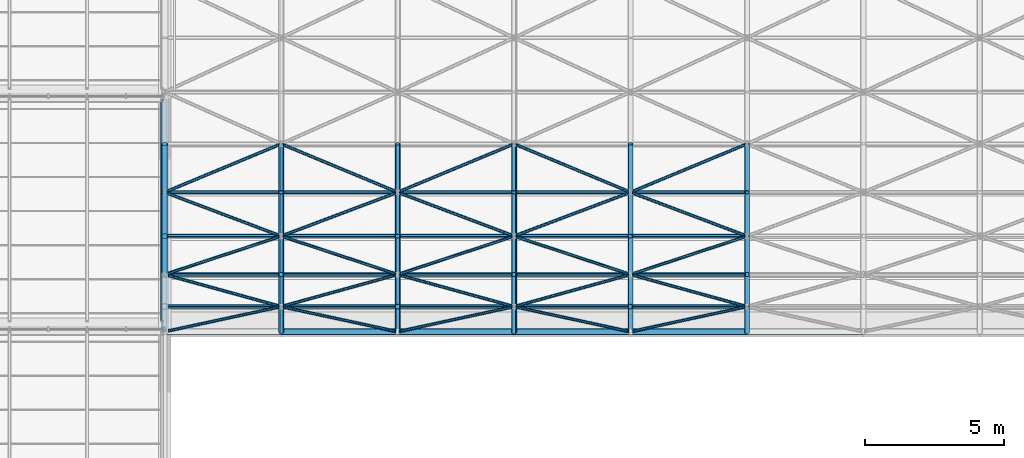
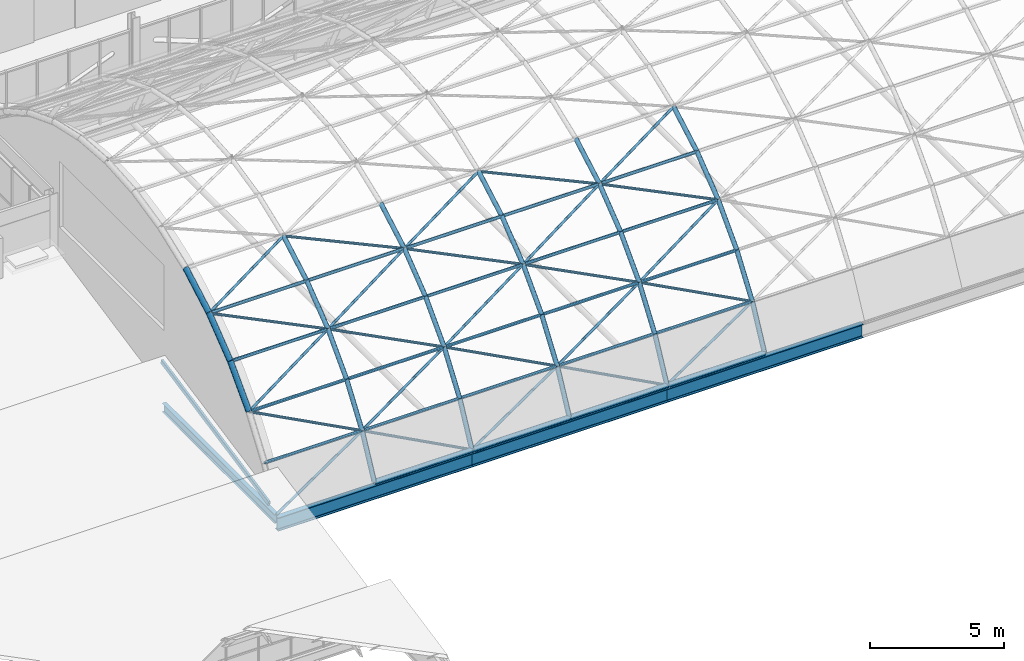
# One storey, part 27 of 121: 78 members, 4 beams.
"""IFC4 building model written with IfcOpenShell, lengths in metres."""

from ifc_helpers import new_model, si_unit, direction, frame, origin, origin_2d, place, context, subcontext, project, spatial, hollow_rectangle, hollow_circle, i_section, extrude, material, material_profile, profile_set, type_object, element, save


model = new_model("IFC4")

# Units and contexts
model_context = context("Model", 3, precision=1e-05, world=origin(), true_north=direction((0.0, 1.0)))
body_context = subcontext(model_context, "Body", "Model", "MODEL_VIEW")
ifc_project = project(units=[si_unit("LENGTHUNIT", "METRE"), si_unit("AREAUNIT", "SQUARE_METRE"), si_unit("VOLUMEUNIT", "CUBIC_METRE"), si_unit("PLANEANGLEUNIT", "RADIAN"), si_unit("MASSUNIT", "GRAM", prefix="KILO")], contexts=[model_context])

# Site, building, storey
site_placement = place(None, origin())
site = spatial("IfcSite", under=ifc_project, at=site_placement, CompositionType="ELEMENT")
building_placement = place(site_placement, origin())
building = spatial("IfcBuilding", under=site, at=building_placement, Name="Ardhachandra Cancer Care Centre", CompositionType="ELEMENT")
storey_placement = place(building_placement, frame((0.0, 0.0, 9.0)))
storey = spatial("IfcBuildingStorey", under=building, at=storey_placement, Name="L02", CompositionType="ELEMENT", Elevation=9.0)

# Beams
ifc_material_1 = material(Name="Steel E350 (IS 2062)", Category="steel")
ifc_material_profile_1 = material_profile(ifc_material_1, i_section(OverallWidth=0.179931640625, OverallDepth=0.39990234375, WebThickness=0.008544921875, FlangeThickness=0.013427734375, FilletRadius=0.02099609375, at=origin_2d()), Name="NPB 400x180x66.30")
ifc_profile_set_1 = profile_set([ifc_material_profile_1], Name="Steel E350 (IS 2062)")
beam_type_1 = type_object("IfcBeamType", Name="Beam NPB 400x180x66.30", PredefinedType="BEAM", material=ifc_profile_set_1)
beam_1_placement = place(storey_placement, frame((44.39990234375, 54.60009765625, -0.199951171875), z_axis=(0.0, 1.0, 0.0), x_axis=(-1.0, 0.0, 0.0)))
element("IfcBeam", 1, at=beam_1_placement, inside=storey, type_object=beam_type_1, Name="Roof girder F5-G5", PredefinedType="BEAM", context=body_context, shape_type="SweptSolid", body=[
    extrude(i_section(OverallWidth=0.179931640625, OverallDepth=0.39990234375, WebThickness=0.008544921875, FlangeThickness=0.013427734375, FilletRadius=0.02099609375, at=origin_2d()), origin(), (0.0, 0.0, 1.0), 8.39990234375),
])
ifc_material_2 = material(Name="Steel E350 (IS 2062)", Category="steel")
ifc_material_profile_2 = material_profile(ifc_material_2, i_section(OverallWidth=0.22412109375, OverallDepth=0.610107421875, WebThickness=0.014892578125, FlangeThickness=0.02392578125, FilletRadius=0.02392578125, at=origin_2d()), Name="NPB 600x220x154.46")
ifc_profile_set_2 = profile_set([ifc_material_profile_2], Name="Steel E350 (IS 2062)")
beam_type_2 = type_object("IfcBeamType", Name="Beam NPB 600x220x154.46", PredefinedType="BEAM", material=ifc_profile_set_2)
beam_2_placement = place(storey_placement, frame((44.39990234375, 54.60009765625, -0.41455078125), z_axis=(1.0, 0.0, 0.0), x_axis=(0.0, 1.0, 0.0)))
element("IfcBeam", 2, at=beam_2_placement, inside=storey, type_object=beam_type_2, Name="Shell edge beam F5-F6", PredefinedType="BEAM", context=body_context, shape_type="SweptSolid", body=[
    extrude(i_section(OverallWidth=0.22412109375, OverallDepth=0.610107421875, WebThickness=0.014892578125, FlangeThickness=0.02392578125, FilletRadius=0.02392578125, at=origin_2d()), origin(), (0.0, 0.0, 1.0), 8.400146484375),
])
beam_3_placement = place(storey_placement, frame((52.800048828125, 54.60009765625, -0.41455078125), z_axis=(1.0, 0.0, 0.0), x_axis=(0.0, 1.0, 0.0)))
element("IfcBeam", 3, at=beam_3_placement, inside=storey, type_object=beam_type_2, Name="Shell edge beam F6-F7", PredefinedType="BEAM", context=body_context, shape_type="SweptSolid", body=[
    extrude(i_section(OverallWidth=0.22412109375, OverallDepth=0.610107421875, WebThickness=0.014892578125, FlangeThickness=0.02392578125, FilletRadius=0.02392578125, at=origin_2d()), origin(), (0.0, 0.0, 1.0), 8.39990234375),
])
beam_4_placement = place(storey_placement, frame((61.199951171875, 54.60009765625, -0.41455078125), z_axis=(1.0, 0.0, 0.0), x_axis=(0.0, 1.0, 0.0)))
element("IfcBeam", 4, at=beam_4_placement, inside=storey, type_object=beam_type_2, Name="Shell edge beam F7-F8", PredefinedType="BEAM", context=body_context, shape_type="SweptSolid", body=[
    extrude(i_section(OverallWidth=0.22412109375, OverallDepth=0.610107421875, WebThickness=0.014892578125, FlangeThickness=0.02392578125, FilletRadius=0.02392578125, at=origin_2d()), origin(), (0.0, 0.0, 1.0), 8.400146484375),
])

# Members
ifc_material_3 = material(Name="Steel E350 (IS 2062)", Category="steel")
ifc_material_profile_3 = material_profile(ifc_material_3, hollow_circle(Radius=0.05712890625, WallThickness=0.0048828125, at=origin_2d()), Name="CHS 114.3x5.0")
ifc_profile_set_3 = profile_set([ifc_material_profile_3], Name="Steel E350 (IS 2062)")
member_type_1 = type_object("IfcMemberType", Name="Hall shell Diagonal CHS 114.3x5.0", PredefinedType="BRACE", material=ifc_profile_set_3)
for number, where, z_axis, x_axis, name in (
    (5, (44.39990234375, 54.60009765625, 0.0), (0.902482473221, 0.194408279805, 0.384357654109), (-0.21058448072, 0.97757566279, 0.0), "Hall shell diagonal 00-00"),
    (6, (48.60009765625, 55.5048828125, 1.788818359375), (-0.902459289758, 0.248643166325, 0.351772378349), (-0.265620125306, -0.964077771257, 0.0), "Hall shell diagonal 01-01"),
    (7, (44.39990234375, 56.662109375, 3.426025390625), (0.902480913611, 0.297434711705, 0.311545811784), (-0.313013014629, 0.949748836626, 0.0), "Hall shell diagonal 00-02"),
    (8, (48.60009765625, 58.04638671875, 4.8759765625), (-0.902466367162, 0.33991990579, 0.26459197605), (-0.352482211607, -0.935818513656, 0.0), "Hall shell diagonal 01-03"),
    (9, (44.39990234375, 59.62841796875, 6.107421875), (0.902477233163, 0.374965546538, 0.211980382423), (-0.3836852067, 0.923463947407, 0.0), "Hall shell diagonal 00-04"),
):
    element("IfcMember", number, at=place(storey_placement, frame(where, z_axis=z_axis, x_axis=x_axis)), inside=storey, type_object=member_type_1, Name=name, PredefinedType="BRACE", context=body_context, shape_type="SweptSolid", body=[
        extrude(hollow_circle(Radius=0.05712890625, WallThickness=0.0048828125, at=origin_2d()), origin(), (0.0, 0.0, 1.0), 4.654052734375),
    ])
member_1_placement = place(storey_placement, frame((52.800048828125, 54.60009765625, 0.0), z_axis=(-0.902472740293, 0.1944174839, 0.384375851196), x_axis=(-0.210596178979, -0.977573142736, 0.0)))
element("IfcMember", 10, at=member_1_placement, inside=storey, type_object=member_type_1, Name="Hall shell diagonal 02-00", PredefinedType="BRACE", context=body_context, shape_type="SweptSolid", body=[
    extrude(hollow_circle(Radius=0.05712890625, WallThickness=0.0048828125, at=origin_2d()), origin(), (0.0, 0.0, 1.0), 4.65380859375),
])
member_2_placement = place(storey_placement, frame((48.60009765625, 55.5048828125, 1.788818359375), z_axis=(0.902449554885, 0.24865493752, 0.351789031858), x_axis=(-0.265634476177, 0.964073817229, 0.0)))
element("IfcMember", 11, at=member_2_placement, inside=storey, type_object=member_type_1, Name="Hall shell diagonal 01-01", PredefinedType="BRACE", context=body_context, shape_type="SweptSolid", body=[
    extrude(hollow_circle(Radius=0.05712890625, WallThickness=0.0048828125, at=origin_2d()), origin(), (0.0, 0.0, 1.0), 4.654052734375),
])
for number, where, z_axis, x_axis, name in (
    (12, (52.800048828125, 56.662109375, 3.426025390625), (-0.902471180552, 0.297448793451, 0.311560561605), (-0.313029427027, -0.949743427361, 0.0), "Hall shell diagonal 02-02"),
    (13, (48.60009765625, 58.04638671875, 4.8759765625), (0.902456632882, 0.339935998435, 0.264604502485), (-0.35250015529, 0.935811754853, 0.0), "Hall shell diagonal 01-03"),
    (14, (52.800048828125, 59.62841796875, 6.107421875), (-0.902467499795, 0.374983298758, 0.211990418338), (-0.383704226466, -0.923456044754, 0.0), "Hall shell diagonal 02-04"),
    (15, (52.800048828125, 54.60009765625, 0.0), (0.902472740293, 0.1944174839, 0.384375851196), (-0.210596178979, 0.977573142736, 0.0), "Hall shell diagonal 02-00"),
):
    element("IfcMember", number, at=place(storey_placement, frame(where, z_axis=z_axis, x_axis=x_axis)), inside=storey, type_object=member_type_1, Name=name, PredefinedType="BRACE", context=body_context, shape_type="SweptSolid", body=[
        extrude(hollow_circle(Radius=0.05712890625, WallThickness=0.0048828125, at=origin_2d()), origin(), (0.0, 0.0, 1.0), 4.65380859375),
    ])
member_3_placement = place(storey_placement, frame((57.0, 55.5048828125, 1.788818359375), z_axis=(-0.902449554885, 0.24865493752, 0.351789031858), x_axis=(-0.265634476177, -0.964073817229, 0.0)))
element("IfcMember", 16, at=member_3_placement, inside=storey, type_object=member_type_1, Name="Hall shell diagonal 03-01", PredefinedType="BRACE", context=body_context, shape_type="SweptSolid", body=[
    extrude(hollow_circle(Radius=0.05712890625, WallThickness=0.0048828125, at=origin_2d()), origin(), (0.0, 0.0, 1.0), 4.654052734375),
])
for number, where, z_axis, x_axis, name in (
    (17, (52.800048828125, 56.662109375, 3.426025390625), (0.902471180552, 0.297448793451, 0.311560561605), (-0.313029427027, 0.949743427361, 0.0), "Hall shell diagonal 02-02"),
    (18, (57.0, 58.04638671875, 4.8759765625), (-0.902456632882, 0.339935998435, 0.264604502485), (-0.35250015529, -0.935811754853, 0.0), "Hall shell diagonal 03-03"),
    (19, (52.800048828125, 59.62841796875, 6.107421875), (0.902467499795, 0.374983298758, 0.211990418338), (-0.383704226466, 0.923456044754, 0.0), "Hall shell diagonal 02-04"),
    (20, (61.199951171875, 54.60009765625, 0.0), (-0.902472740293, 0.1944174839, 0.384375851196), (-0.210596178979, -0.977573142736, 0.0), "Hall shell diagonal 04-00"),
):
    element("IfcMember", number, at=place(storey_placement, frame(where, z_axis=z_axis, x_axis=x_axis)), inside=storey, type_object=member_type_1, Name=name, PredefinedType="BRACE", context=body_context, shape_type="SweptSolid", body=[
        extrude(hollow_circle(Radius=0.05712890625, WallThickness=0.0048828125, at=origin_2d()), origin(), (0.0, 0.0, 1.0), 4.65380859375),
    ])
member_4_placement = place(storey_placement, frame((57.0, 55.5048828125, 1.788818359375), z_axis=(0.902449554885, 0.24865493752, 0.351789031858), x_axis=(-0.265634476177, 0.964073817229, 0.0)))
element("IfcMember", 21, at=member_4_placement, inside=storey, type_object=member_type_1, Name="Hall shell diagonal 03-01", PredefinedType="BRACE", context=body_context, shape_type="SweptSolid", body=[
    extrude(hollow_circle(Radius=0.05712890625, WallThickness=0.0048828125, at=origin_2d()), origin(), (0.0, 0.0, 1.0), 4.654052734375),
])
for number, where, z_axis, x_axis, name in (
    (22, (61.199951171875, 56.662109375, 3.426025390625), (-0.902471180552, 0.297448793451, 0.311560561605), (-0.313029427027, -0.949743427361, 0.0), "Hall shell diagonal 04-02"),
    (23, (57.0, 58.04638671875, 4.8759765625), (0.902456632882, 0.339935998435, 0.264604502485), (-0.35250015529, 0.935811754853, 0.0), "Hall shell diagonal 03-03"),
    (24, (61.199951171875, 59.62841796875, 6.107421875), (-0.902467499795, 0.374983298758, 0.211990418338), (-0.383704226466, -0.923456044754, 0.0), "Hall shell diagonal 04-04"),
    (25, (61.199951171875, 54.60009765625, 0.0), (0.902472740293, 0.1944174839, 0.384375851196), (-0.210596178979, 0.977573142736, 0.0), "Hall shell diagonal 04-00"),
):
    element("IfcMember", number, at=place(storey_placement, frame(where, z_axis=z_axis, x_axis=x_axis)), inside=storey, type_object=member_type_1, Name=name, PredefinedType="BRACE", context=body_context, shape_type="SweptSolid", body=[
        extrude(hollow_circle(Radius=0.05712890625, WallThickness=0.0048828125, at=origin_2d()), origin(), (0.0, 0.0, 1.0), 4.65380859375),
    ])
member_5_placement = place(storey_placement, frame((65.39990234375, 55.5048828125, 1.788818359375), z_axis=(-0.902449554885, 0.24865493752, 0.351789031858), x_axis=(-0.265634476177, -0.964073817229, 0.0)))
element("IfcMember", 26, at=member_5_placement, inside=storey, type_object=member_type_1, Name="Hall shell diagonal 05-01", PredefinedType="BRACE", context=body_context, shape_type="SweptSolid", body=[
    extrude(hollow_circle(Radius=0.05712890625, WallThickness=0.0048828125, at=origin_2d()), origin(), (0.0, 0.0, 1.0), 4.654052734375),
])
for number, where, z_axis, x_axis, name in (
    (27, (61.199951171875, 56.662109375, 3.426025390625), (0.902471180552, 0.297448793451, 0.311560561605), (-0.313029427027, 0.949743427361, 0.0), "Hall shell diagonal 04-02"),
    (28, (65.39990234375, 58.04638671875, 4.8759765625), (-0.902456632882, 0.339935998435, 0.264604502485), (-0.35250015529, -0.935811754853, 0.0), "Hall shell diagonal 05-03"),
    (29, (61.199951171875, 59.62841796875, 6.107421875), (0.902467499795, 0.374983298758, 0.211990418338), (-0.383704226466, 0.923456044754, 0.0), "Hall shell diagonal 04-04"),
):
    element("IfcMember", number, at=place(storey_placement, frame(where, z_axis=z_axis, x_axis=x_axis)), inside=storey, type_object=member_type_1, Name=name, PredefinedType="BRACE", context=body_context, shape_type="SweptSolid", body=[
        extrude(hollow_circle(Radius=0.05712890625, WallThickness=0.0048828125, at=origin_2d()), origin(), (0.0, 0.0, 1.0), 4.65380859375),
    ])
ifc_material_4 = material(Name="Steel E350 (IS 2062)", Category="steel")
ifc_material_profile_4 = material_profile(ifc_material_4, hollow_circle(Radius=0.06982421875, WallThickness=0.0048828125, at=origin_2d()), Name="CHS 139.7x5.0")
ifc_profile_set_4 = profile_set([ifc_material_profile_4], Name="Steel E350 (IS 2062)")
member_type_2 = type_object("IfcMemberType", Name="Hall shell Purlin CHS 139.7x5.0", PredefinedType="PURLIN", material=ifc_profile_set_4)
member_6_placement = place(storey_placement, frame((44.39990234375, 55.5048828125, 1.788818359375), z_axis=(1.0, 0.0, 0.0), x_axis=(0.0, 1.0, 0.0)))
element("IfcMember", 30, at=member_6_placement, inside=storey, type_object=member_type_2, Name="Hall shell purlin 00-01", PredefinedType="PURLIN", context=body_context, shape_type="SweptSolid", body=[
    extrude(hollow_circle(Radius=0.06982421875, WallThickness=0.0048828125, at=origin_2d()), origin(), (0.0, 0.0, 1.0), 4.2001953125),
])
for number, where, z_axis, x_axis, name in (
    (31, (48.60009765625, 55.5048828125, 1.788818359375), (1.0, 0.0, 0.0), (0.0, 1.0, 0.0), "Hall shell purlin 01-01"),
    (32, (52.800048828125, 55.5048828125, 1.788818359375), (1.0, 0.0, 0.0), (0.0, 1.0, 0.0), "Hall shell purlin 02-01"),
    (33, (57.0, 55.5048828125, 1.788818359375), (1.0, 0.0, 0.0), (0.0, 1.0, 0.0), "Hall shell purlin 03-01"),
    (34, (61.199951171875, 55.5048828125, 1.788818359375), (1.0, 0.0, 0.0), (0.0, 1.0, 0.0), "Hall shell purlin 04-01"),
):
    element("IfcMember", number, at=place(storey_placement, frame(where, z_axis=z_axis, x_axis=x_axis)), inside=storey, type_object=member_type_2, Name=name, PredefinedType="PURLIN", context=body_context, shape_type="SweptSolid", body=[
        extrude(hollow_circle(Radius=0.06982421875, WallThickness=0.0048828125, at=origin_2d()), origin(), (0.0, 0.0, 1.0), 4.199951171875),
    ])
member_7_placement = place(storey_placement, frame((44.39990234375, 56.662109375, 3.426025390625), z_axis=(1.0, 0.0, 0.0), x_axis=(0.0, 1.0, 0.0)))
element("IfcMember", 35, at=member_7_placement, inside=storey, type_object=member_type_2, Name="Hall shell purlin 00-02", PredefinedType="PURLIN", context=body_context, shape_type="SweptSolid", body=[
    extrude(hollow_circle(Radius=0.06982421875, WallThickness=0.0048828125, at=origin_2d()), origin(), (0.0, 0.0, 1.0), 4.2001953125),
])
for number, where, z_axis, x_axis, name in (
    (36, (48.60009765625, 56.662109375, 3.426025390625), (1.0, 0.0, 0.0), (0.0, 1.0, 0.0), "Hall shell purlin 01-02"),
    (37, (52.800048828125, 56.662109375, 3.426025390625), (1.0, 0.0, 0.0), (0.0, 1.0, 0.0), "Hall shell purlin 02-02"),
    (38, (57.0, 56.662109375, 3.426025390625), (1.0, 0.0, 0.0), (0.0, 1.0, 0.0), "Hall shell purlin 03-02"),
    (39, (61.199951171875, 56.662109375, 3.426025390625), (1.0, 0.0, 0.0), (0.0, 1.0, 0.0), "Hall shell purlin 04-02"),
):
    element("IfcMember", number, at=place(storey_placement, frame(where, z_axis=z_axis, x_axis=x_axis)), inside=storey, type_object=member_type_2, Name=name, PredefinedType="PURLIN", context=body_context, shape_type="SweptSolid", body=[
        extrude(hollow_circle(Radius=0.06982421875, WallThickness=0.0048828125, at=origin_2d()), origin(), (0.0, 0.0, 1.0), 4.199951171875),
    ])
member_8_placement = place(storey_placement, frame((44.39990234375, 58.04638671875, 4.8759765625), z_axis=(1.0, 0.0, 0.0), x_axis=(0.0, 1.0, 0.0)))
element("IfcMember", 40, at=member_8_placement, inside=storey, type_object=member_type_2, Name="Hall shell purlin 00-03", PredefinedType="PURLIN", context=body_context, shape_type="SweptSolid", body=[
    extrude(hollow_circle(Radius=0.06982421875, WallThickness=0.0048828125, at=origin_2d()), origin(), (0.0, 0.0, 1.0), 4.2001953125),
])
for number, where, z_axis, x_axis, name in (
    (41, (48.60009765625, 58.04638671875, 4.8759765625), (1.0, 0.0, 0.0), (0.0, 1.0, 0.0), "Hall shell purlin 01-03"),
    (42, (52.800048828125, 58.04638671875, 4.8759765625), (1.0, 0.0, 0.0), (0.0, 1.0, 0.0), "Hall shell purlin 02-03"),
    (43, (57.0, 58.04638671875, 4.8759765625), (1.0, 0.0, 0.0), (0.0, 1.0, 0.0), "Hall shell purlin 03-03"),
    (44, (61.199951171875, 58.04638671875, 4.8759765625), (1.0, 0.0, 0.0), (0.0, 1.0, 0.0), "Hall shell purlin 04-03"),
):
    element("IfcMember", number, at=place(storey_placement, frame(where, z_axis=z_axis, x_axis=x_axis)), inside=storey, type_object=member_type_2, Name=name, PredefinedType="PURLIN", context=body_context, shape_type="SweptSolid", body=[
        extrude(hollow_circle(Radius=0.06982421875, WallThickness=0.0048828125, at=origin_2d()), origin(), (0.0, 0.0, 1.0), 4.199951171875),
    ])
member_9_placement = place(storey_placement, frame((44.39990234375, 59.62841796875, 6.107421875), z_axis=(1.0, 0.0, 0.0), x_axis=(0.0, 1.0, 0.0)))
element("IfcMember", 45, at=member_9_placement, inside=storey, type_object=member_type_2, Name="Hall shell purlin 00-04", PredefinedType="PURLIN", context=body_context, shape_type="SweptSolid", body=[
    extrude(hollow_circle(Radius=0.06982421875, WallThickness=0.0048828125, at=origin_2d()), origin(), (0.0, 0.0, 1.0), 4.2001953125),
])
for number, where, z_axis, x_axis, name in (
    (46, (48.60009765625, 59.62841796875, 6.107421875), (1.0, 0.0, 0.0), (0.0, 1.0, 0.0), "Hall shell purlin 01-04"),
    (47, (52.800048828125, 59.62841796875, 6.107421875), (1.0, 0.0, 0.0), (0.0, 1.0, 0.0), "Hall shell purlin 02-04"),
    (48, (57.0, 59.62841796875, 6.107421875), (1.0, 0.0, 0.0), (0.0, 1.0, 0.0), "Hall shell purlin 03-04"),
    (49, (61.199951171875, 59.62841796875, 6.107421875), (1.0, 0.0, 0.0), (0.0, 1.0, 0.0), "Hall shell purlin 04-04"),
):
    element("IfcMember", number, at=place(storey_placement, frame(where, z_axis=z_axis, x_axis=x_axis)), inside=storey, type_object=member_type_2, Name=name, PredefinedType="PURLIN", context=body_context, shape_type="SweptSolid", body=[
        extrude(hollow_circle(Radius=0.06982421875, WallThickness=0.0048828125, at=origin_2d()), origin(), (0.0, 0.0, 1.0), 4.199951171875),
    ])
ifc_material_5 = material(Name="Steel E350 (IS 2062)", Category="steel")
ifc_material_profile_5 = material_profile(ifc_material_5, hollow_circle(Radius=0.109619140625, WallThickness=0.008056640625, at=origin_2d()), Name="CHS 219.1x8.0")
ifc_profile_set_5 = profile_set([ifc_material_profile_5], Name="Steel E350 (IS 2062)")
member_type_3 = type_object("IfcMemberType", Name="Hall shell Purlin CHS 219.1x8.0", PredefinedType="PURLIN", material=ifc_profile_set_5)
for number, where, z_axis, x_axis, name in (
    (50, (48.60009765625, 54.60009765625, 0.0), (1.0, 0.0, 0.0), (0.0, 1.0, 0.0), "Hall shell purlin 01-00"),
    (51, (52.800048828125, 54.60009765625, 0.0), (1.0, 0.0, 0.0), (0.0, 1.0, 0.0), "Hall shell purlin 02-00"),
    (52, (57.0, 54.60009765625, 0.0), (1.0, 0.0, 0.0), (0.0, 1.0, 0.0), "Hall shell purlin 03-00"),
    (53, (61.199951171875, 54.60009765625, 0.0), (1.0, 0.0, 0.0), (0.0, 1.0, 0.0), "Hall shell purlin 04-00"),
):
    element("IfcMember", number, at=place(storey_placement, frame(where, z_axis=z_axis, x_axis=x_axis)), inside=storey, type_object=member_type_3, Name=name, PredefinedType="PURLIN", context=body_context, shape_type="SweptSolid", body=[
        extrude(hollow_circle(Radius=0.109619140625, WallThickness=0.008056640625, at=origin_2d()), origin(), (0.0, 0.0, 1.0), 4.199951171875),
    ])
ifc_material_6 = material(Name="Steel E350 (IS 2062)", Category="steel")
ifc_material_profile_6 = material_profile(ifc_material_6, hollow_circle(Radius=0.096923828125, WallThickness=0.008056640625, at=origin_2d()), Name="CHS 193.7x8.0")
ifc_profile_set_6 = profile_set([ifc_material_profile_6], Name="Steel E350 (IS 2062)")
member_type_4 = type_object("IfcMemberType", Name="Hall shell Rib CHS 193.7x8.0", PredefinedType="RAFTER", material=ifc_profile_set_6)
member_10_placement = place(storey_placement, frame((48.60009765625, 54.60009765625, 0.0), z_axis=(0.0, 0.451349625156, 0.89234719469), x_axis=(-1.0, 0.0, 0.0)))
element("IfcMember", 54, at=member_10_placement, inside=storey, type_object=member_type_4, Name="Hall shell rib 01-00", PredefinedType="RAFTER", context=body_context, shape_type="SweptSolid", body=[
    extrude(hollow_circle(Radius=0.096923828125, WallThickness=0.008056640625, at=origin_2d()), origin(), (0.0, 0.0, 1.0), 2.004638671875),
])
member_11_placement = place(storey_placement, frame((48.60009765625, 55.5048828125, 1.788818359375), z_axis=(0.0, 0.577199418325, 0.816603227697), x_axis=(-1.0, 0.0, 0.0)))
element("IfcMember", 55, at=member_11_placement, inside=storey, type_object=member_type_4, Name="Hall shell rib 01-01", PredefinedType="RAFTER", context=body_context, shape_type="SweptSolid", body=[
    extrude(hollow_circle(Radius=0.096923828125, WallThickness=0.008056640625, at=origin_2d()), origin(), (0.0, 0.0, 1.0), 2.0048828125),
])
member_12_placement = place(storey_placement, frame((48.60009765625, 56.662109375, 3.426025390625), z_axis=(0.0, 0.690536572288, 0.723297478451), x_axis=(-1.0, 0.0, 0.0)))
element("IfcMember", 56, at=member_12_placement, inside=storey, type_object=member_type_4, Name="Hall shell rib 01-02", PredefinedType="RAFTER", context=body_context, shape_type="SweptSolid", body=[
    extrude(hollow_circle(Radius=0.096923828125, WallThickness=0.008056640625, at=origin_2d()), origin(), (0.0, 0.0, 1.0), 2.004638671875),
])
member_13_placement = place(storey_placement, frame((48.60009765625, 58.04638671875, 4.8759765625), z_axis=(0.0, 0.789116098656, 0.614244074324), x_axis=(-1.0, 0.0, 0.0)))
element("IfcMember", 57, at=member_13_placement, inside=storey, type_object=member_type_4, Name="Hall shell rib 01-03", PredefinedType="RAFTER", context=body_context, shape_type="SweptSolid", body=[
    extrude(hollow_circle(Radius=0.096923828125, WallThickness=0.008056640625, at=origin_2d()), origin(), (0.0, 0.0, 1.0), 2.0048828125),
])
for number, where, z_axis, x_axis, name in (
    (58, (48.60009765625, 59.62841796875, 6.107421875), (0.0, 0.870519739515, 0.492133501312), (-1.0, 0.0, 0.0), "Hall shell rib 01-04"),
    (59, (52.800048828125, 54.60009765625, 0.0), (0.0, 0.451349625156, 0.89234719469), (-1.0, 0.0, 0.0), "Hall shell rib 02-00"),
):
    element("IfcMember", number, at=place(storey_placement, frame(where, z_axis=z_axis, x_axis=x_axis)), inside=storey, type_object=member_type_4, Name=name, PredefinedType="RAFTER", context=body_context, shape_type="SweptSolid", body=[
        extrude(hollow_circle(Radius=0.096923828125, WallThickness=0.008056640625, at=origin_2d()), origin(), (0.0, 0.0, 1.0), 2.004638671875),
    ])
member_14_placement = place(storey_placement, frame((52.800048828125, 55.5048828125, 1.788818359375), z_axis=(0.0, 0.577199418325, 0.816603227697), x_axis=(-1.0, 0.0, 0.0)))
element("IfcMember", 60, at=member_14_placement, inside=storey, type_object=member_type_4, Name="Hall shell rib 02-01", PredefinedType="RAFTER", context=body_context, shape_type="SweptSolid", body=[
    extrude(hollow_circle(Radius=0.096923828125, WallThickness=0.008056640625, at=origin_2d()), origin(), (0.0, 0.0, 1.0), 2.0048828125),
])
member_15_placement = place(storey_placement, frame((52.800048828125, 56.662109375, 3.426025390625), z_axis=(0.0, 0.690536572288, 0.723297478451), x_axis=(-1.0, 0.0, 0.0)))
element("IfcMember", 61, at=member_15_placement, inside=storey, type_object=member_type_4, Name="Hall shell rib 02-02", PredefinedType="RAFTER", context=body_context, shape_type="SweptSolid", body=[
    extrude(hollow_circle(Radius=0.096923828125, WallThickness=0.008056640625, at=origin_2d()), origin(), (0.0, 0.0, 1.0), 2.004638671875),
])
member_16_placement = place(storey_placement, frame((52.800048828125, 58.04638671875, 4.8759765625), z_axis=(0.0, 0.789116098656, 0.614244074324), x_axis=(-1.0, 0.0, 0.0)))
element("IfcMember", 62, at=member_16_placement, inside=storey, type_object=member_type_4, Name="Hall shell rib 02-03", PredefinedType="RAFTER", context=body_context, shape_type="SweptSolid", body=[
    extrude(hollow_circle(Radius=0.096923828125, WallThickness=0.008056640625, at=origin_2d()), origin(), (0.0, 0.0, 1.0), 2.0048828125),
])
for number, where, z_axis, x_axis, name in (
    (63, (52.800048828125, 59.62841796875, 6.107421875), (0.0, 0.870519739515, 0.492133501312), (-1.0, 0.0, 0.0), "Hall shell rib 02-04"),
    (64, (57.0, 54.60009765625, 0.0), (0.0, 0.451349625156, 0.89234719469), (-1.0, 0.0, 0.0), "Hall shell rib 03-00"),
):
    element("IfcMember", number, at=place(storey_placement, frame(where, z_axis=z_axis, x_axis=x_axis)), inside=storey, type_object=member_type_4, Name=name, PredefinedType="RAFTER", context=body_context, shape_type="SweptSolid", body=[
        extrude(hollow_circle(Radius=0.096923828125, WallThickness=0.008056640625, at=origin_2d()), origin(), (0.0, 0.0, 1.0), 2.004638671875),
    ])
member_17_placement = place(storey_placement, frame((57.0, 55.5048828125, 1.788818359375), z_axis=(0.0, 0.577199418325, 0.816603227697), x_axis=(-1.0, 0.0, 0.0)))
element("IfcMember", 65, at=member_17_placement, inside=storey, type_object=member_type_4, Name="Hall shell rib 03-01", PredefinedType="RAFTER", context=body_context, shape_type="SweptSolid", body=[
    extrude(hollow_circle(Radius=0.096923828125, WallThickness=0.008056640625, at=origin_2d()), origin(), (0.0, 0.0, 1.0), 2.0048828125),
])
member_18_placement = place(storey_placement, frame((57.0, 56.662109375, 3.426025390625), z_axis=(0.0, 0.690536572288, 0.723297478451), x_axis=(-1.0, 0.0, 0.0)))
element("IfcMember", 66, at=member_18_placement, inside=storey, type_object=member_type_4, Name="Hall shell rib 03-02", PredefinedType="RAFTER", context=body_context, shape_type="SweptSolid", body=[
    extrude(hollow_circle(Radius=0.096923828125, WallThickness=0.008056640625, at=origin_2d()), origin(), (0.0, 0.0, 1.0), 2.004638671875),
])
member_19_placement = place(storey_placement, frame((57.0, 58.04638671875, 4.8759765625), z_axis=(0.0, 0.789116098656, 0.614244074324), x_axis=(-1.0, 0.0, 0.0)))
element("IfcMember", 67, at=member_19_placement, inside=storey, type_object=member_type_4, Name="Hall shell rib 03-03", PredefinedType="RAFTER", context=body_context, shape_type="SweptSolid", body=[
    extrude(hollow_circle(Radius=0.096923828125, WallThickness=0.008056640625, at=origin_2d()), origin(), (0.0, 0.0, 1.0), 2.0048828125),
])
for number, where, z_axis, x_axis, name in (
    (68, (57.0, 59.62841796875, 6.107421875), (0.0, 0.870519739515, 0.492133501312), (-1.0, 0.0, 0.0), "Hall shell rib 03-04"),
    (69, (61.199951171875, 54.60009765625, 0.0), (0.0, 0.451349625156, 0.89234719469), (-1.0, 0.0, 0.0), "Hall shell rib 04-00"),
):
    element("IfcMember", number, at=place(storey_placement, frame(where, z_axis=z_axis, x_axis=x_axis)), inside=storey, type_object=member_type_4, Name=name, PredefinedType="RAFTER", context=body_context, shape_type="SweptSolid", body=[
        extrude(hollow_circle(Radius=0.096923828125, WallThickness=0.008056640625, at=origin_2d()), origin(), (0.0, 0.0, 1.0), 2.004638671875),
    ])
member_20_placement = place(storey_placement, frame((61.199951171875, 55.5048828125, 1.788818359375), z_axis=(0.0, 0.577199418325, 0.816603227697), x_axis=(-1.0, 0.0, 0.0)))
element("IfcMember", 70, at=member_20_placement, inside=storey, type_object=member_type_4, Name="Hall shell rib 04-01", PredefinedType="RAFTER", context=body_context, shape_type="SweptSolid", body=[
    extrude(hollow_circle(Radius=0.096923828125, WallThickness=0.008056640625, at=origin_2d()), origin(), (0.0, 0.0, 1.0), 2.0048828125),
])
member_21_placement = place(storey_placement, frame((61.199951171875, 56.662109375, 3.426025390625), z_axis=(0.0, 0.690536572288, 0.723297478451), x_axis=(-1.0, 0.0, 0.0)))
element("IfcMember", 71, at=member_21_placement, inside=storey, type_object=member_type_4, Name="Hall shell rib 04-02", PredefinedType="RAFTER", context=body_context, shape_type="SweptSolid", body=[
    extrude(hollow_circle(Radius=0.096923828125, WallThickness=0.008056640625, at=origin_2d()), origin(), (0.0, 0.0, 1.0), 2.004638671875),
])
member_22_placement = place(storey_placement, frame((61.199951171875, 58.04638671875, 4.8759765625), z_axis=(0.0, 0.789116098656, 0.614244074324), x_axis=(-1.0, 0.0, 0.0)))
element("IfcMember", 72, at=member_22_placement, inside=storey, type_object=member_type_4, Name="Hall shell rib 04-03", PredefinedType="RAFTER", context=body_context, shape_type="SweptSolid", body=[
    extrude(hollow_circle(Radius=0.096923828125, WallThickness=0.008056640625, at=origin_2d()), origin(), (0.0, 0.0, 1.0), 2.0048828125),
])
for number, where, z_axis, x_axis, name in (
    (73, (61.199951171875, 59.62841796875, 6.107421875), (0.0, 0.870519739515, 0.492133501312), (-1.0, 0.0, 0.0), "Hall shell rib 04-04"),
    (74, (65.39990234375, 54.60009765625, 0.0), (0.0, 0.451349625156, 0.89234719469), (-1.0, 0.0, 0.0), "Hall shell rib 05-00"),
):
    element("IfcMember", number, at=place(storey_placement, frame(where, z_axis=z_axis, x_axis=x_axis)), inside=storey, type_object=member_type_4, Name=name, PredefinedType="RAFTER", context=body_context, shape_type="SweptSolid", body=[
        extrude(hollow_circle(Radius=0.096923828125, WallThickness=0.008056640625, at=origin_2d()), origin(), (0.0, 0.0, 1.0), 2.004638671875),
    ])
member_23_placement = place(storey_placement, frame((65.39990234375, 55.5048828125, 1.788818359375), z_axis=(0.0, 0.577199418325, 0.816603227697), x_axis=(-1.0, 0.0, 0.0)))
element("IfcMember", 75, at=member_23_placement, inside=storey, type_object=member_type_4, Name="Hall shell rib 05-01", PredefinedType="RAFTER", context=body_context, shape_type="SweptSolid", body=[
    extrude(hollow_circle(Radius=0.096923828125, WallThickness=0.008056640625, at=origin_2d()), origin(), (0.0, 0.0, 1.0), 2.0048828125),
])
member_24_placement = place(storey_placement, frame((65.39990234375, 56.662109375, 3.426025390625), z_axis=(0.0, 0.690536572288, 0.723297478451), x_axis=(-1.0, 0.0, 0.0)))
element("IfcMember", 76, at=member_24_placement, inside=storey, type_object=member_type_4, Name="Hall shell rib 05-02", PredefinedType="RAFTER", context=body_context, shape_type="SweptSolid", body=[
    extrude(hollow_circle(Radius=0.096923828125, WallThickness=0.008056640625, at=origin_2d()), origin(), (0.0, 0.0, 1.0), 2.004638671875),
])
member_25_placement = place(storey_placement, frame((65.39990234375, 58.04638671875, 4.8759765625), z_axis=(0.0, 0.789116098656, 0.614244074324), x_axis=(-1.0, 0.0, 0.0)))
element("IfcMember", 77, at=member_25_placement, inside=storey, type_object=member_type_4, Name="Hall shell rib 05-03", PredefinedType="RAFTER", context=body_context, shape_type="SweptSolid", body=[
    extrude(hollow_circle(Radius=0.096923828125, WallThickness=0.008056640625, at=origin_2d()), origin(), (0.0, 0.0, 1.0), 2.0048828125),
])
member_26_placement = place(storey_placement, frame((65.39990234375, 59.62841796875, 6.107421875), z_axis=(0.0, 0.870519739515, 0.492133501312), x_axis=(-1.0, 0.0, 0.0)))
element("IfcMember", 78, at=member_26_placement, inside=storey, type_object=member_type_4, Name="Hall shell rib 05-04", PredefinedType="RAFTER", context=body_context, shape_type="SweptSolid", body=[
    extrude(hollow_circle(Radius=0.096923828125, WallThickness=0.008056640625, at=origin_2d()), origin(), (0.0, 0.0, 1.0), 2.004638671875),
])
ifc_material_7 = material(Name="Steel E350 (IS 2062)", Category="steel")
ifc_material_profile_7 = material_profile(ifc_material_7, hollow_circle(Radius=0.122314453125, WallThickness=0.010009765625, at=origin_2d()), Name="CHS 244.5x10.0")
ifc_profile_set_7 = profile_set([ifc_material_profile_7], Name="Steel E350 (IS 2062)")
member_type_5 = type_object("IfcMemberType", Name="Hall shell Rib CHS 244.5x10.0", PredefinedType="RAFTER", material=ifc_profile_set_7)
member_27_placement = place(storey_placement, frame((44.39990234375, 56.662109375, 3.426025390625), z_axis=(0.0, 0.690536572288, 0.723297478451), x_axis=(-1.0, 0.0, 0.0)))
element("IfcMember", 79, at=member_27_placement, inside=storey, type_object=member_type_5, Name="Hall shell rib 00-02", PredefinedType="RAFTER", context=body_context, shape_type="SweptSolid", body=[
    extrude(hollow_circle(Radius=0.122314453125, WallThickness=0.010009765625, at=origin_2d()), origin(), (0.0, 0.0, 1.0), 2.004638671875),
])
member_28_placement = place(storey_placement, frame((44.39990234375, 58.04638671875, 4.8759765625), z_axis=(0.0, 0.789116098656, 0.614244074324), x_axis=(-1.0, 0.0, 0.0)))
element("IfcMember", 80, at=member_28_placement, inside=storey, type_object=member_type_5, Name="Hall shell rib 00-03", PredefinedType="RAFTER", context=body_context, shape_type="SweptSolid", body=[
    extrude(hollow_circle(Radius=0.122314453125, WallThickness=0.010009765625, at=origin_2d()), origin(), (0.0, 0.0, 1.0), 2.0048828125),
])
member_29_placement = place(storey_placement, frame((44.39990234375, 59.62841796875, 6.107421875), z_axis=(0.0, 0.870519739515, 0.492133501312), x_axis=(-1.0, 0.0, 0.0)))
element("IfcMember", 81, at=member_29_placement, inside=storey, type_object=member_type_5, Name="Hall shell rib 00-04", PredefinedType="RAFTER", context=body_context, shape_type="SweptSolid", body=[
    extrude(hollow_circle(Radius=0.122314453125, WallThickness=0.010009765625, at=origin_2d()), origin(), (0.0, 0.0, 1.0), 2.004638671875),
])
ifc_material_8 = material(Name="Steel E350 (IS 2062)", Category="steel")
ifc_material_profile_8 = material_profile(ifc_material_8, hollow_rectangle(XDim=0.10009765625, YDim=0.199951171875, WallThickness=0.006103515625, InnerFilletRadius=0.006103515625, OuterFilletRadius=0.011962890625, at=origin_2d()), Name="RHS 200x100x6.0")
ifc_profile_set_8 = profile_set([ifc_material_profile_8], Name="Steel E350 (IS 2062)")
member_type_6 = type_object("IfcMemberType", Name="Roof rafter RHS 200x100x6.0", PredefinedType="RAFTER", material=ifc_profile_set_8)
member_30_placement = place(storey_placement, frame((44.300048828125, 54.980224609375, 0.298095703125), z_axis=(0.0, 0.980109665583, 0.198456653782), x_axis=(-1.0, 0.0, 0.0)))
element("IfcMember", 82, at=member_30_placement, inside=storey, type_object=member_type_6, Name="Rafter T4a.13", PredefinedType="RAFTER", context=body_context, shape_type="SweptSolid", body=[
    extrude(hollow_rectangle(XDim=0.10009765625, YDim=0.199951171875, WallThickness=0.006103515625, InnerFilletRadius=0.006103515625, OuterFilletRadius=0.011962890625, at=origin_2d()), origin(), (0.0, 0.0, 1.0), 8.162353515625),
])

save(model, "model.ifc")
